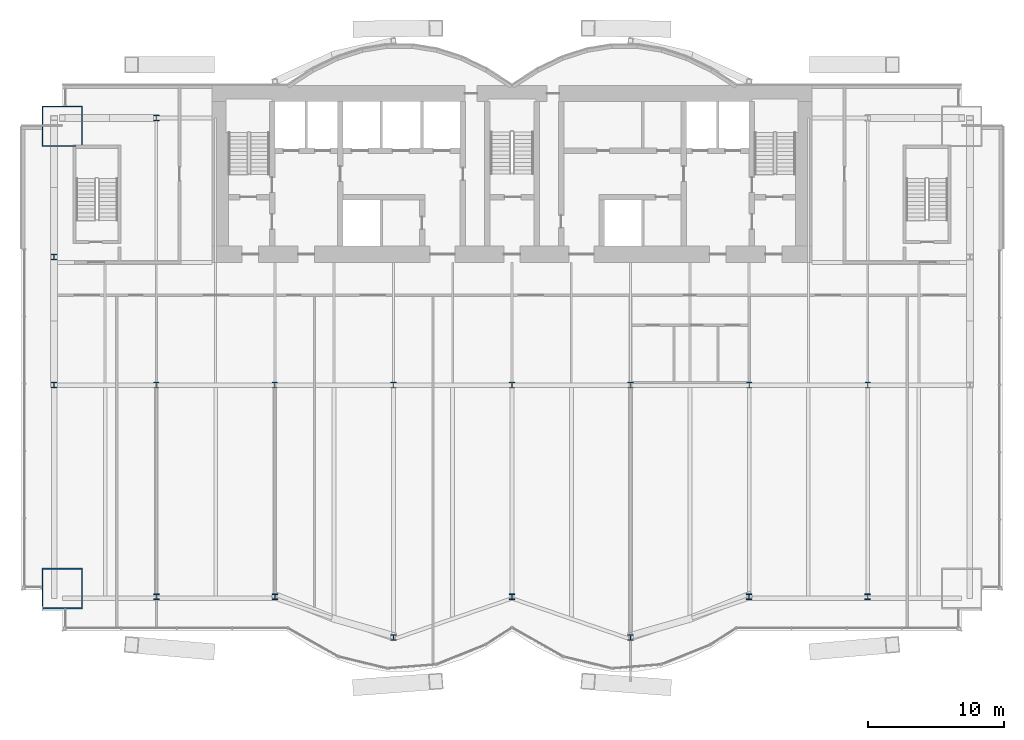
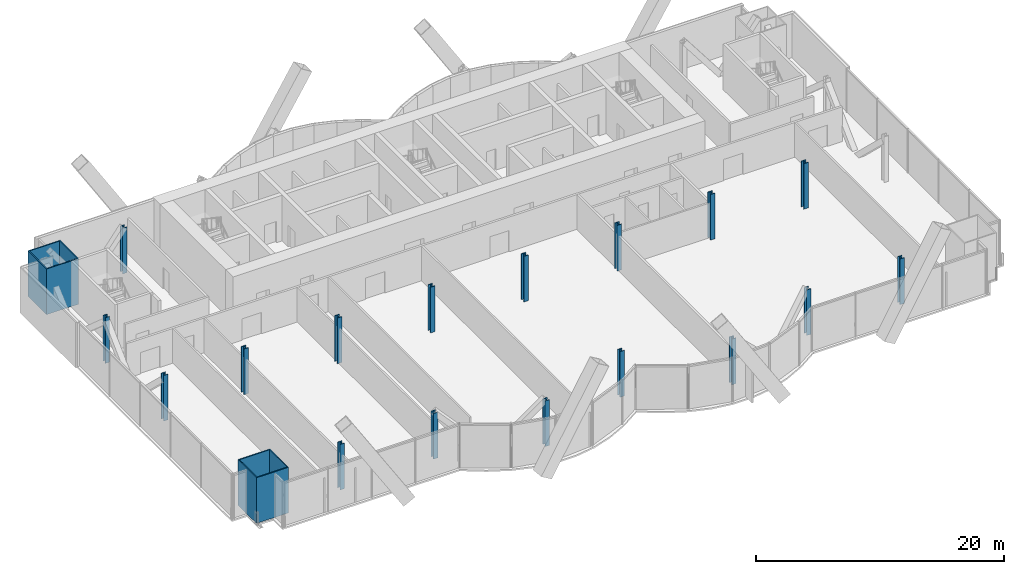
# One storey, part 1 of 22: 19 columns.
"""IFC4 building model written with IfcOpenShell, lengths in metres."""

import ifcopenshell
import ifcopenshell.guid

model = None  # the IFC model being written
_history = None  # IfcOwnerHistory: only IFC2X3 demands one
_inside = {}  # id of a spatial element -> (the spatial element, [elements in it])
_under = {}  # id of a project, library or spatial element -> (it, [spatial elements below it])
_declared = {}  # id of a project -> (the project, [libraries it declares])
_typed = {}  # id of a type object -> (the type object, [elements of that type])
_made_of = {}  # id of a material, layer set ... -> (it, [elements and type objects made of it])


def new_model(schema):
    """Start an empty IFC model of exactly this schema.

    Asked for "IFC4X3", IfcOpenShell would pick the latest addendum, in which some entities
    have other attributes; the version numbers below select the first issue.
    IFC2X3 requires an IfcOwnerHistory on every rooted entity: one is made here for all.
    """
    global model, _history
    if schema == "IFC4X3":
        model = ifcopenshell.file(schema_version=(4, 3, 0, 0))
    else:
        model = ifcopenshell.file(schema=schema)
    _inside.clear()
    _under.clear()
    _declared.clear()
    _typed.clear()
    _made_of.clear()
    _history = None
    if model.schema == "IFC2X3":
        org = make("IfcOrganization", Name="unknown")
        user = make(
            "IfcPersonAndOrganization",
            ThePerson=make("IfcPerson", FamilyName="unknown"),
            TheOrganization=org,
        )
        app = make(
            "IfcApplication",
            ApplicationDeveloper=org,
            Version="unknown",
            ApplicationFullName="unknown",
            ApplicationIdentifier="unknown",
        )
        _history = make(
            "IfcOwnerHistory",
            OwningUser=user,
            OwningApplication=app,
            ChangeAction="ADDED",
            CreationDate=0,
        )
    return model


def make(cls, **values):
    """One entity of the class cls with the attributes given. An attribute that is None is left unset."""
    return model.create_entity(
        cls, **{name: value for name, value in values.items() if value is not None}
    )


def rooted(cls, **values):
    """An entity with a GlobalId (a new one), such as an element, a storey or a relation."""
    return make(cls, GlobalId=ifcopenshell.guid.new(), OwnerHistory=_history, **values)


def si_unit(unit_type, name, prefix=None):
    """IfcSIUnit, for example si_unit("LENGTHUNIT", "METRE", prefix="MILLI")."""
    return make("IfcSIUnit", UnitType=unit_type, Prefix=prefix, Name=name)


def assignment(units):
    """IfcUnitAssignment: the units of a project."""
    return None if units is None else make("IfcUnitAssignment", Units=units)


def point(xyz):
    """IfcCartesianPoint."""
    return None if xyz is None else make("IfcCartesianPoint", Coordinates=xyz)


def direction(xyz):
    """IfcDirection."""
    return None if xyz is None else make("IfcDirection", DirectionRatios=xyz)


def frame(location, z_axis=None, x_axis=None):
    """IfcAxis2Placement3D, a coordinate frame: its origin and axes. An axis left out is left unset."""
    return make(
        "IfcAxis2Placement3D",
        Location=point(location),
        Axis=direction(z_axis),
        RefDirection=direction(x_axis),
    )


def frame_2d(location, x_axis=None):
    """IfcAxis2Placement2D, a coordinate frame in the plane: its origin and x axis."""
    return make(
        "IfcAxis2Placement2D", Location=point(location), RefDirection=direction(x_axis)
    )


def origin():
    """The frame at (0, 0, 0) with its axes left unset."""
    return frame((0.0, 0.0, 0.0))


def origin_2d():
    """The frame at (0, 0) in the plane with its x axis left unset."""
    return frame_2d((0.0, 0.0))


def place(relative_to, where):
    """IfcLocalPlacement: puts the frame where relative to a parent placement (None: the world)."""
    return make(
        "IfcLocalPlacement", PlacementRelTo=relative_to, RelativePlacement=where
    )


def context(
    kind, dimensions, precision=None, world=None, true_north=None, identifier=None
):
    """IfcGeometricRepresentationContext, for example the 3D "Model" context."""
    return make(
        "IfcGeometricRepresentationContext",
        ContextIdentifier=identifier,
        ContextType=kind,
        CoordinateSpaceDimension=dimensions,
        Precision=precision,
        WorldCoordinateSystem=world,
        TrueNorth=true_north,
    )


def subcontext(parent, identifier, kind, view, scale=None):
    """IfcGeometricRepresentationSubContext, for example "Body" below "Model"."""
    return make(
        "IfcGeometricRepresentationSubContext",
        ContextIdentifier=identifier,
        ContextType=kind,
        ParentContext=parent,
        TargetScale=scale,
        TargetView=view,
    )


def project(units=None, contexts=None):
    """IfcProject with its units and contexts."""
    return rooted(
        "IfcProject",
        Name="project",
        RepresentationContexts=contexts,
        UnitsInContext=assignment(units),
    )


def spatial(cls, under=None, at=None, **own):
    """A site, building, storey or space (cls), placed at a placement, below another one or the project."""
    s = rooted(cls, ObjectPlacement=at, **own)
    if under is not None:
        _under.setdefault(under.id(), (under, []))[1].append(s)
    return s


def profile(cls, at=None, kind="AREA", **sizes):
    """A parametric profile (cls). Its sizes go by their IFC names, for example OverallWidth=200.0."""
    return make(cls, ProfileType=kind, Position=at, **sizes)


def hollow_rectangle(**sizes):
    """IfcRectangleHollowProfileDef."""
    return profile("IfcRectangleHollowProfileDef", **sizes)


def i_section(**sizes):
    """IfcIShapeProfileDef."""
    return profile("IfcIShapeProfileDef", **sizes)


def extrude(swept, where, along, depth):
    """IfcExtrudedAreaSolid: the profile swept, set in the frame where, extruded along a direction by depth."""
    return make(
        "IfcExtrudedAreaSolid",
        SweptArea=swept,
        Position=where,
        ExtrudedDirection=direction(along),
        Depth=depth,
    )


def shape(context_of_items, identifier, shape_type, items):
    """IfcShapeRepresentation: the items that make up one representation, for example the "Body"."""
    return make(
        "IfcShapeRepresentation",
        ContextOfItems=context_of_items,
        RepresentationIdentifier=identifier,
        RepresentationType=shape_type,
        Items=items,
    )


def material(Name=None, Category=None):
    """IfcMaterial."""
    return make("IfcMaterial", Name=Name, Category=Category)


def material_profile(
    of_material, cross_section, Name=None, Category=None, Priority=None
):
    """IfcMaterialProfile: a cross section and its material."""
    return make(
        "IfcMaterialProfile",
        Name=Name,
        Material=of_material,
        Profile=cross_section,
        Priority=Priority,
        Category=Category,
    )


def profile_set(profiles, Name=None, composite=None):
    """IfcMaterialProfileSet."""
    return make(
        "IfcMaterialProfileSet",
        Name=Name,
        MaterialProfiles=profiles,
        CompositeProfile=composite,
    )


def made_of(thing, what):
    """Note that an element or type object is made of a material, layer set ...; save() writes the relation."""
    if what is not None:
        _made_of.setdefault(what.id(), (what, []))[1].append(thing)
    return thing


def type_object(cls, material=None, **own):
    """A type object (cls), such as IfcWallType, which elements share."""
    return made_of(rooted(cls, **own), material)


def element(
    cls,
    number,
    at=None,
    inside=None,
    cuts=None,
    type_object=None,
    material=None,
    context=None,
    identifier="Body",
    shape_type=None,
    held_by="IfcProductDefinitionShape",
    body=None,
    shapes=None,
    **own,
):
    """One element of the class cls, such as IfcWall. Its Tag is "e" and its number.

    at: its placement. inside: the storey or other place that contains it. cuts: it is an
    opening in that element (IfcRelVoidsElement). A single representation is given by context,
    identifier, shape_type and body (its items); several are given by shapes. held_by: the class
    of the entity that holds the representations. save() writes the other relations.
    """
    e = rooted(cls, Tag="e%d" % number, ObjectPlacement=at, **own)
    if body is not None:
        shapes = [shape(context, identifier, shape_type, body)]
    if shapes is not None:
        e.Representation = make(held_by, Representations=shapes)
    if inside is not None:
        _inside.setdefault(inside.id(), (inside, []))[1].append(e)
    if cuts is not None:
        rooted(
            "IfcRelVoidsElement", RelatingBuildingElement=cuts, RelatedOpeningElement=e
        )
    if type_object is not None:
        _typed.setdefault(type_object.id(), (type_object, []))[1].append(e)
    return made_of(e, material)


def aggregate(whole, parts):
    """IfcRelAggregates: a whole, such as a stair, and the parts it consists of."""
    return rooted("IfcRelAggregates", RelatingObject=whole, RelatedObjects=parts)


def save(model, path):
    """Write the relations noted so far, then the file.

    IfcRelAggregates (storeys below a building ...), IfcRelContainedInSpatialStructure (elements
    in a storey), IfcRelDefinesByType, IfcRelAssociatesMaterial and IfcRelDeclares: one each for
    every whole, place, type object, material and project.
    """
    for whole, parts in _under.values():
        aggregate(whole, parts)
    for where, things in _inside.values():
        rooted(
            "IfcRelContainedInSpatialStructure",
            RelatedElements=things,
            RelatingStructure=where,
        )
    for kind, things in _typed.values():
        rooted("IfcRelDefinesByType", RelatedObjects=things, RelatingType=kind)
    for what, things in _made_of.values():
        rooted("IfcRelAssociatesMaterial", RelatedObjects=things, RelatingMaterial=what)
    for by, libraries in _declared.values():
        rooted("IfcRelDeclares", RelatingContext=by, RelatedDefinitions=libraries)
    model.write(path)


model = new_model("IFC4")

# Units and contexts
model_context = context("Model", 3, precision=1e-05, world=origin(), true_north=direction((0.0, 1.0)))
body_context = subcontext(model_context, "Body", "Model", "MODEL_VIEW")
ifc_project = project(units=[si_unit("LENGTHUNIT", "METRE"), si_unit("AREAUNIT", "SQUARE_METRE"), si_unit("VOLUMEUNIT", "CUBIC_METRE"), si_unit("PLANEANGLEUNIT", "RADIAN"), si_unit("MASSUNIT", "GRAM", prefix="KILO")], contexts=[model_context])

# Site, building, storey
site_placement = place(None, origin())
site = spatial("IfcSite", under=ifc_project, at=site_placement, CompositionType="ELEMENT")
building_placement = place(site_placement, origin())
building = spatial("IfcBuilding", under=site, at=building_placement, Name="Bicima Exchange Tower", CompositionType="ELEMENT")
storey_placement = place(building_placement, frame((0.0, 0.0, 71.0)))
storey = spatial("IfcBuildingStorey", under=building, at=storey_placement, Name="L14", CompositionType="ELEMENT", Elevation=71.0)

# Columns
ifc_material_1 = material(Name="Steel ASTM A992 Gr 50", Category="steel")
ifc_material_profile_1 = material_profile(ifc_material_1, i_section(OverallWidth=0.419189453125, OverallDepth=0.45458984375, WebThickness=0.042236328125, FlangeThickness=0.067626953125, at=origin_2d()))
ifc_profile_set_1 = profile_set([ifc_material_profile_1], Name="Steel ASTM A992 Gr 50")
column_type_1 = type_object("IfcColumnType", Name="Interior column W14x370", PredefinedType="COLUMN", material=ifc_profile_set_1)
for number, where, z_axis, x_axis, name in (
    (1, (-26.10009765625, -22.0, 0.0), (0.0, 0.0, 1.0), (1.0, 0.0, 0.0), "Interior column interior-26.1i"),
    (2, (-17.39990234375, -22.0, 0.0), (0.0, 0.0, 1.0), (1.0, 0.0, 0.0), "Interior column interior-17.4i"),
    (3, (-8.699951171875, -22.0, 0.0), (0.0, 0.0, 1.0), (1.0, 0.0, 0.0), "Interior column interior-8.7i"),
    (4, (0.0, -22.0, 0.0), (0.0, 0.0, 1.0), (1.0, 0.0, 0.0), "Interior column interior+0.0i"),
    (5, (8.699951171875, -22.0, 0.0), (0.0, 0.0, 1.0), (1.0, 0.0, 0.0), "Interior column interior+8.7i"),
    (6, (17.39990234375, -22.0, 0.0), (0.0, 0.0, 1.0), (1.0, 0.0, 0.0), "Interior column interior+17.4i"),
    (7, (26.10009765625, -22.0, 0.0), (0.0, 0.0, 1.0), (1.0, 0.0, 0.0), "Interior column interior+26.1i"),
):
    element("IfcColumn", number, at=place(storey_placement, frame(where, z_axis=z_axis, x_axis=x_axis)), inside=storey, type_object=column_type_1, Name=name, PredefinedType="COLUMN", context=body_context, shape_type="SweptSolid", body=[
        extrude(i_section(OverallWidth=0.419189453125, OverallDepth=0.45458984375, WebThickness=0.042236328125, FlangeThickness=0.067626953125, at=origin_2d()), origin(), (0.0, 0.0, 1.0), 4.5),
    ])
ifc_material_2 = material(Name="Steel ASTM A572 Gr 50", Category="steel")
ifc_material_profile_2 = material_profile(ifc_material_2, hollow_rectangle(XDim=3.0, YDim=3.0, WallThickness=0.10009765625, at=origin_2d()))
ifc_profile_set_2 = profile_set([ifc_material_profile_2], Name="Steel ASTM A572 Gr 50")
column_type_2 = type_object("IfcColumnType", Name="Mega column BOX 3000x3000x100", PredefinedType="COLUMN", material=ifc_profile_set_2)
for number, where, z_axis, x_axis, name in (
    (8, (-33.0, -36.926025390625, 0.0), (0.0, 0.0, 1.0), (1.0, 0.0, 0.0), "Mega column mega-33.0f"),
    (9, (-33.0, -3.0, 0.0), (0.0, 0.0, 1.0), (1.0, 0.0, 0.0), "Mega column mega-33.0r"),
):
    element("IfcColumn", number, at=place(storey_placement, frame(where, z_axis=z_axis, x_axis=x_axis)), inside=storey, type_object=column_type_2, Name=name, PredefinedType="COLUMN", context=body_context, shape_type="SweptSolid", body=[
        extrude(hollow_rectangle(XDim=3.0, YDim=3.0, WallThickness=0.10009765625, at=origin_2d()), origin(), (0.0, 0.0, 1.0), 4.5),
    ])
ifc_material_profile_3 = material_profile(ifc_material_1, i_section(OverallWidth=0.406494140625, OverallDepth=0.41650390625, WebThickness=0.030029296875, FlangeThickness=0.048095703125, at=origin_2d()))
ifc_profile_set_3 = profile_set([ifc_material_profile_3], Name="Steel ASTM A992 Gr 50")
column_type_3 = type_object("IfcColumnType", Name="Perimeter column W14x257", PredefinedType="COLUMN", material=ifc_profile_set_3)
for number, where, z_axis, x_axis, name in (
    (10, (-26.10009765625, -37.52587890625, 0.0), (0.0, 0.0, 1.0), (1.0, 0.0, 0.0), "Perimeter column grav-26.1f"),
    (11, (-26.10009765625, -2.39990234375, 0.0), (0.0, 0.0, 1.0), (1.0, 0.0, 0.0), "Perimeter column grav-26.1r"),
    (12, (-17.39990234375, -37.52587890625, 0.0), (0.0, 0.0, 1.0), (1.0, 0.0, 0.0), "Perimeter column grav-17.4f"),
    (13, (-8.699951171875, -40.51708984375, 0.0), (0.0, 0.0, 1.0), (1.0, 0.0, 0.0), "Perimeter column grav-8.7f"),
    (14, (0.0, -37.52587890625, 0.0), (0.0, 0.0, 1.0), (1.0, 0.0, 0.0), "Perimeter column grav-0.0f"),
    (15, (8.699951171875, -40.51708984375, 0.0), (0.0, 0.0, 1.0), (1.0, 0.0, 0.0), "Perimeter column grav+8.7f"),
    (16, (17.39990234375, -37.52587890625, 0.0), (0.0, 0.0, 1.0), (1.0, 0.0, 0.0), "Perimeter column grav+17.4f"),
    (17, (26.10009765625, -37.52587890625, 0.0), (0.0, 0.0, 1.0), (1.0, 0.0, 0.0), "Perimeter column grav+26.1f"),
    (18, (-33.60009765625, -12.60009765625, 0.0), (0.0, 0.0, 1.0), (1.0, 0.0, 0.0), "End column end-33.6e"),
    (19, (-33.60009765625, -22.0, 0.0), (0.0, 0.0, 1.0), (1.0, 0.0, 0.0), "End column end-33.6e"),
):
    element("IfcColumn", number, at=place(storey_placement, frame(where, z_axis=z_axis, x_axis=x_axis)), inside=storey, type_object=column_type_3, Name=name, PredefinedType="COLUMN", context=body_context, shape_type="SweptSolid", body=[
        extrude(i_section(OverallWidth=0.406494140625, OverallDepth=0.41650390625, WebThickness=0.030029296875, FlangeThickness=0.048095703125, at=origin_2d()), origin(), (0.0, 0.0, 1.0), 4.5),
    ])

save(model, "model.ifc")
